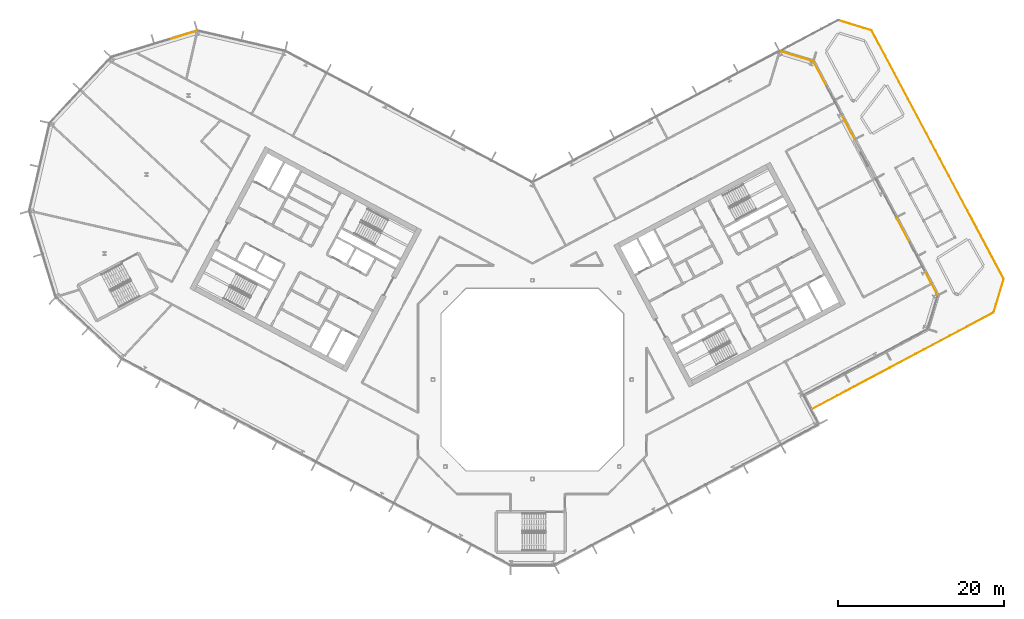
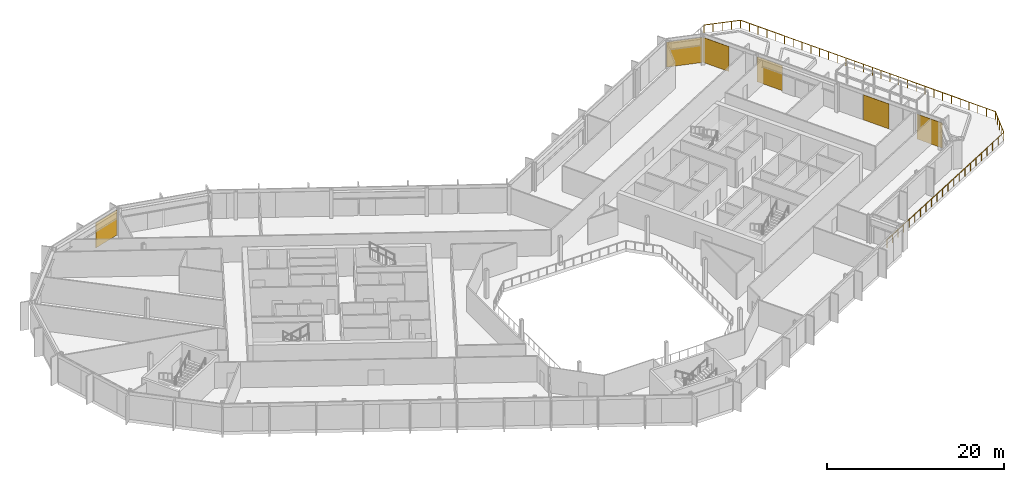
# One storey, part 30 of 31: 6 coverings, 1 railing, 3 elements without a shape of their own.
"""IFC4 building model written with IfcOpenShell, lengths in metres."""

from ifc_helpers import new_model, si_unit, direction, frame, origin, origin_2d, place, context, subcontext, project, spatial, polyline, rectangle, outline, extrude, material, layer, layer_set, type_object, element, aggregate, save


model = new_model("IFC4")

# Units and contexts
model_context = context("Model", 3, precision=1e-05, world=origin(), true_north=direction((0.0, 1.0)))
body_context = subcontext(model_context, "Body", "Model", "MODEL_VIEW")
ifc_project = project(units=[si_unit("LENGTHUNIT", "METRE"), si_unit("AREAUNIT", "SQUARE_METRE"), si_unit("VOLUMEUNIT", "CUBIC_METRE"), si_unit("PLANEANGLEUNIT", "RADIAN"), si_unit("MASSUNIT", "GRAM", prefix="KILO")], contexts=[model_context])

# Site, building, storey
site_placement = place(None, origin())
site = spatial("IfcSite", under=ifc_project, at=site_placement, CompositionType="ELEMENT")
building_placement = place(site_placement, origin())
building = spatial("IfcBuilding", under=site, at=building_placement, Name="Cormorant Relay Tower", CompositionType="ELEMENT")
storey_placement = place(building_placement, frame((0.0, 0.0, 189.60009765625)))
storey = spatial("IfcBuildingStorey", under=building, at=storey_placement, Name="L40", CompositionType="ELEMENT", Elevation=189.60009765625)

# Curtain wall, coverings
ifc_material_1 = material(Name="Aluminium 6063-T6 anodised bronze", Category="aluminium")
ifc_layer_1 = layer(ifc_material_1, 0.199951171875)
ifc_layer_set_1 = layer_set([ifc_layer_1], Name="CW1 unitised bronze curtain wall with vertical fins")
curtain_wall_type = type_object("IfcCurtainWallType", Name="CW1 unitised bronze curtain wall with vertical fins", PredefinedType="NOTDEFINED", material=ifc_layer_set_1)
curtain_wall_1_placement = place(storey_placement, origin())
curtain_wall_1 = element("IfcCurtainWall", 1, at=curtain_wall_1_placement, inside=storey, type_object=curtain_wall_type, Name="CW1 curtain wall 6", PredefinedType="NOTDEFINED")
ifc_material_2 = material(Name="Pale bronze anodised aluminium insulated panel", Category="aluminium")
ifc_layer_2 = layer(ifc_material_2, 0.0400390625)
ifc_layer_set_2 = layer_set([ifc_layer_2], Name="CW1 pale bronze insulated panel 40")
covering_type = type_object("IfcCoveringType", Name="CW1 pale bronze insulated panel 40", PredefinedType="CLADDING", material=ifc_layer_set_2)
covering_1_placement = place(storey_placement, frame((48.142333984375, 11.74267578125, 0.0), z_axis=(0.0, 0.0, 1.0), x_axis=(-0.469471562786, 0.882947592859, 0.0)))
covering_1 = element("IfcCovering", 2, at=covering_1_placement, type_object=covering_type, Name="CW1 panel S00", PredefinedType="CLADDING", context=body_context, shape_type="SweptSolid", body=[
    extrude(rectangle(XDim=3.38330078125, YDim=0.0400390625, at=origin_2d()), origin(), (0.0, 0.0, 1.0), 3.449951171875),
])
covering_2_placement = place(storey_placement, frame((44.79345703125, 18.041015625, 0.0), z_axis=(0.0, 0.0, 1.0), x_axis=(-0.469471562786, 0.882947592859, 0.0)))
covering_2 = element("IfcCovering", 3, at=covering_2_placement, type_object=covering_type, Name="CW1 panel S03", PredefinedType="CLADDING", context=body_context, shape_type="SweptSolid", body=[
    extrude(rectangle(XDim=3.38330078125, YDim=0.0400390625, at=origin_2d()), origin(), (0.0, 0.0, 1.0), 3.449951171875),
])
covering_3_placement = place(storey_placement, frame((38.126953125, 30.578857421875, 0.0), z_axis=(0.0, 0.0, 1.0), x_axis=(-0.469471562786, 0.882947592859, 0.0)))
covering_3 = element("IfcCovering", 4, at=covering_3_placement, type_object=covering_type, Name="CW1 panel S06", PredefinedType="CLADDING", context=body_context, shape_type="SweptSolid", body=[
    extrude(rectangle(XDim=3.38330078125, YDim=0.0400390625, at=origin_2d()), origin(), (0.0, 0.0, 1.0), 3.449951171875),
])
covering_4_placement = place(storey_placement, frame((34.760498046875, 36.910400390625, 0.0), z_axis=(0.0, 0.0, 1.0), x_axis=(-0.469471562786, 0.882947592859, 0.0)))
covering_4 = element("IfcCovering", 5, at=covering_4_placement, type_object=covering_type, Name="CW1 panel S09", PredefinedType="CLADDING", context=body_context, shape_type="SweptSolid", body=[
    extrude(rectangle(XDim=3.458251953125, YDim=0.0400390625, at=origin_2d()), origin(), (0.0, 0.0, 1.0), 3.449951171875),
])
aggregate(curtain_wall_1, [covering_1, covering_2, covering_3, covering_4])

# Curtain wall, covering
curtain_wall_2_placement = place(storey_placement, origin())
curtain_wall_2 = element("IfcCurtainWall", 6, at=curtain_wall_2_placement, inside=storey, type_object=curtain_wall_type, Name="CW1 curtain wall 7", PredefinedType="NOTDEFINED")
covering_5_placement = place(storey_placement, frame((31.872314453125, 39.077880859375, 0.0), z_axis=(0.0, 0.0, 1.0), x_axis=(-0.956304755963, 0.292371704723, 0.0)))
covering_5 = element("IfcCovering", 7, at=covering_5_placement, type_object=covering_type, Name="CW1 panel S00", PredefinedType="CLADDING", context=body_context, shape_type="SweptSolid", body=[
    extrude(rectangle(XDim=4.16748046875, YDim=0.0400390625, at=origin_2d()), origin(), (0.0, 0.0, 1.0), 3.449951171875),
])
aggregate(curtain_wall_2, [covering_5])

curtain_wall_3_placement = place(storey_placement, origin())
curtain_wall_3 = element("IfcCurtainWall", 8, at=curtain_wall_3_placement, inside=storey, type_object=curtain_wall_type, Name="CW1 curtain wall 11", PredefinedType="NOTDEFINED")
covering_6_placement = place(storey_placement, frame((-42.209716796875, 41.60107421875, 0.0), z_axis=(0.0, 0.0, 1.0), x_axis=(-0.956304755963, -0.292371704723, 0.0)))
covering_6 = element("IfcCovering", 9, at=covering_6_placement, type_object=covering_type, Name="CW1 panel S00", PredefinedType="CLADDING", context=body_context, shape_type="SweptSolid", body=[
    extrude(rectangle(XDim=3.485107421875, YDim=0.0400390625, at=origin_2d()), origin(), (0.0, 0.0, 1.0), 3.449951171875),
])
aggregate(curtain_wall_3, [covering_6])

# Railing
ifc_material_3 = material(Name="Stainless steel guard with laminated glass infill", Category="steel")
railing_type = type_object("IfcRailingType", Name="Slab edge guard 1100", PredefinedType="GUARDRAIL", material=ifc_material_3)
railing_placement = place(storey_placement, frame((36.937255859375, 43.423828125, 0.0)))
element("IfcRailing", 10, at=railing_placement, inside=storey, type_object=railing_type, Name="Terrace guard L40", PredefinedType="GUARDRAIL", context=body_context, shape_type="SweptSolid", body=[
    extrude(outline(polyline([(0.022216796875, 0.00927734375), (0.00927734375, 0.022216796875), (-0.00927734375, 0.022216796875), (-0.022216796875, 0.00927734375), (-0.022216796875, -0.00927734375), (-0.00927734375, -0.022216796875), (0.00927734375, -0.022216796875), (0.022216796875, -0.00927734375), (0.022216796875, 0.00927734375)])), frame((0.0, 0.0, 1.076171875), z_axis=(0.956319849341, -0.292322331949, 0.0), x_axis=(0.292322331949, 0.956319849341, 0.0)), (0.0, 0.0, 1.0), 4.24267578125),
    extrude(outline(polyline([(0.022216796875, 0.00927734375), (0.00927734375, 0.022216796875), (-0.00927734375, 0.022216796875), (-0.022216796875, 0.00927734375), (-0.022216796875, -0.00927734375), (-0.00927734375, -0.022216796875), (0.00927734375, -0.022216796875), (0.022216796875, -0.00927734375), (0.022216796875, 0.00927734375)])), frame((4.057373046875, -1.240234375, 1.076171875), z_axis=(0.469465301168, -0.882950922191, 0.0), x_axis=(0.882950922191, 0.469465301168, 0.0)), (0.0, 0.0, 1.0), 34.000244140625),
    extrude(outline(polyline([(0.022216796875, 0.00927734375), (0.00927734375, 0.022216796875), (-0.00927734375, 0.022216796875), (-0.022216796875, 0.00927734375), (-0.022216796875, -0.00927734375), (-0.00927734375, -0.022216796875), (0.00927734375, -0.022216796875), (0.022216796875, -0.00927734375), (0.022216796875, 0.00927734375)])), frame((20.019287109375, -31.2607421875, 1.076171875), z_axis=(-0.292338419362, -0.956314931686, 0.0), x_axis=(0.956314931686, -0.292338419362, 0.0)), (0.0, 0.0, 1.0), 4.242431640625),
    extrude(outline(polyline([(0.022216796875, 0.00927734375), (0.00927734375, 0.022216796875), (-0.00927734375, 0.022216796875), (-0.022216796875, 0.00927734375), (-0.022216796875, -0.00927734375), (-0.00927734375, -0.022216796875), (0.00927734375, -0.022216796875), (0.022216796875, -0.00927734375), (0.022216796875, 0.00927734375)])), frame((18.779052734375, -35.31787109375, 1.076171875), z_axis=(-0.882948683368, -0.469469511832, 0.0), x_axis=(0.469469511832, -0.882948683368, 0.0)), (0.0, 0.0, 1.0), 24.9501953125),
    extrude(outline(polyline([(0.019287109375, 0.008056640625), (0.008056640625, 0.019287109375), (-0.008056640625, 0.019287109375), (-0.019287109375, 0.008056640625), (-0.019287109375, -0.008056640625), (-0.008056640625, -0.019287109375), (0.008056640625, -0.019287109375), (0.019287109375, -0.008056640625), (0.019287109375, 0.008056640625)])), origin(), (0.0, 0.0, 1.0), 1.052001953125),
    extrude(outline(polyline([(0.019287109375, 0.008056640625), (0.008056640625, 0.019287109375), (-0.008056640625, 0.019287109375), (-0.019287109375, 0.008056640625), (-0.019287109375, -0.008056640625), (-0.008056640625, -0.019287109375), (0.008056640625, -0.019287109375), (0.019287109375, -0.008056640625), (0.019287109375, 0.008056640625)])), frame((1.014404296875, -0.31005859375, 0.0)), (0.0, 0.0, 1.0), 1.052001953125),
    extrude(outline(polyline([(0.019287109375, 0.008056640625), (0.008056640625, 0.019287109375), (-0.008056640625, 0.019287109375), (-0.019287109375, 0.008056640625), (-0.019287109375, -0.008056640625), (-0.008056640625, -0.019287109375), (0.008056640625, -0.019287109375), (0.019287109375, -0.008056640625), (0.019287109375, 0.008056640625)])), frame((2.02880859375, -0.6201171875, 0.0)), (0.0, 0.0, 1.0), 1.052001953125),
    extrude(outline(polyline([(0.019287109375, 0.008056640625), (0.008056640625, 0.019287109375), (-0.008056640625, 0.019287109375), (-0.019287109375, 0.008056640625), (-0.019287109375, -0.008056640625), (-0.008056640625, -0.019287109375), (0.008056640625, -0.019287109375), (0.019287109375, -0.008056640625), (0.019287109375, 0.008056640625)])), frame((3.04296875, -0.93017578125, 0.0)), (0.0, 0.0, 1.0), 1.052001953125),
    extrude(outline(polyline([(0.019287109375, 0.008056640625), (0.008056640625, 0.019287109375), (-0.008056640625, 0.019287109375), (-0.019287109375, 0.008056640625), (-0.019287109375, -0.008056640625), (-0.008056640625, -0.019287109375), (0.008056640625, -0.019287109375), (0.019287109375, -0.008056640625), (0.019287109375, 0.008056640625)])), frame((4.057373046875, -1.240234375, 0.0)), (0.0, 0.0, 1.0), 1.052001953125),
    extrude(outline(polyline([(0.019287109375, 0.008056640625), (0.008056640625, 0.019287109375), (-0.008056640625, 0.019287109375), (-0.019287109375, 0.008056640625), (-0.019287109375, -0.008056640625), (-0.008056640625, -0.019287109375), (0.008056640625, -0.019287109375), (0.019287109375, -0.008056640625), (0.019287109375, 0.008056640625)])), frame((4.607666015625, -2.275390625, 0.0)), (0.0, 0.0, 1.0), 1.052001953125),
    extrude(outline(polyline([(0.019287109375, 0.008056640625), (0.008056640625, 0.019287109375), (-0.008056640625, 0.019287109375), (-0.019287109375, 0.008056640625), (-0.019287109375, -0.008056640625), (-0.008056640625, -0.019287109375), (0.008056640625, -0.019287109375), (0.019287109375, -0.008056640625), (0.019287109375, 0.008056640625)])), frame((5.158203125, -3.310546875, 0.0)), (0.0, 0.0, 1.0), 1.052001953125),
    extrude(outline(polyline([(0.019287109375, 0.008056640625), (0.008056640625, 0.019287109375), (-0.008056640625, 0.019287109375), (-0.019287109375, 0.008056640625), (-0.019287109375, -0.008056640625), (-0.008056640625, -0.019287109375), (0.008056640625, -0.019287109375), (0.019287109375, -0.008056640625), (0.019287109375, 0.008056640625)])), frame((5.70849609375, -4.345703125, 0.0)), (0.0, 0.0, 1.0), 1.052001953125),
    extrude(outline(polyline([(0.019287109375, 0.008056640625), (0.008056640625, 0.019287109375), (-0.008056640625, 0.019287109375), (-0.019287109375, 0.008056640625), (-0.019287109375, -0.008056640625), (-0.008056640625, -0.019287109375), (0.008056640625, -0.019287109375), (0.019287109375, -0.008056640625), (0.019287109375, 0.008056640625)])), frame((6.259033203125, -5.381103515625, 0.0)), (0.0, 0.0, 1.0), 1.052001953125),
    extrude(outline(polyline([(0.019287109375, 0.008056640625), (0.008056640625, 0.019287109375), (-0.008056640625, 0.019287109375), (-0.019287109375, 0.008056640625), (-0.019287109375, -0.008056640625), (-0.008056640625, -0.019287109375), (0.008056640625, -0.019287109375), (0.019287109375, -0.008056640625), (0.019287109375, 0.008056640625)])), frame((6.809326171875, -6.416259765625, 0.0)), (0.0, 0.0, 1.0), 1.052001953125),
    extrude(outline(polyline([(0.019287109375, 0.008056640625), (0.008056640625, 0.019287109375), (-0.008056640625, 0.019287109375), (-0.019287109375, 0.008056640625), (-0.019287109375, -0.008056640625), (-0.008056640625, -0.019287109375), (0.008056640625, -0.019287109375), (0.019287109375, -0.008056640625), (0.019287109375, 0.008056640625)])), frame((7.35986328125, -7.451416015625, 0.0)), (0.0, 0.0, 1.0), 1.052001953125),
    extrude(outline(polyline([(0.019287109375, 0.008056640625), (0.008056640625, 0.019287109375), (-0.008056640625, 0.019287109375), (-0.019287109375, 0.008056640625), (-0.019287109375, -0.008056640625), (-0.008056640625, -0.019287109375), (0.008056640625, -0.019287109375), (0.019287109375, -0.008056640625), (0.019287109375, 0.008056640625)])), frame((7.91015625, -8.486572265625, 0.0)), (0.0, 0.0, 1.0), 1.052001953125),
    extrude(outline(polyline([(0.019287109375, 0.008056640625), (0.008056640625, 0.019287109375), (-0.008056640625, 0.019287109375), (-0.019287109375, 0.008056640625), (-0.019287109375, -0.008056640625), (-0.008056640625, -0.019287109375), (0.008056640625, -0.019287109375), (0.019287109375, -0.008056640625), (0.019287109375, 0.008056640625)])), frame((8.460693359375, -9.521728515625, 0.0)), (0.0, 0.0, 1.0), 1.052001953125),
    extrude(outline(polyline([(0.019287109375, 0.008056640625), (0.008056640625, 0.019287109375), (-0.008056640625, 0.019287109375), (-0.019287109375, 0.008056640625), (-0.019287109375, -0.008056640625), (-0.008056640625, -0.019287109375), (0.008056640625, -0.019287109375), (0.019287109375, -0.008056640625), (0.019287109375, 0.008056640625)])), frame((9.010986328125, -10.556884765625, 0.0)), (0.0, 0.0, 1.0), 1.052001953125),
    extrude(outline(polyline([(0.019287109375, 0.008056640625), (0.008056640625, 0.019287109375), (-0.008056640625, 0.019287109375), (-0.019287109375, 0.008056640625), (-0.019287109375, -0.008056640625), (-0.008056640625, -0.019287109375), (0.008056640625, -0.019287109375), (0.019287109375, -0.008056640625), (0.019287109375, 0.008056640625)])), frame((9.5615234375, -11.592041015625, 0.0)), (0.0, 0.0, 1.0), 1.052001953125),
    extrude(outline(polyline([(0.019287109375, 0.008056640625), (0.008056640625, 0.019287109375), (-0.008056640625, 0.019287109375), (-0.019287109375, 0.008056640625), (-0.019287109375, -0.008056640625), (-0.008056640625, -0.019287109375), (0.008056640625, -0.019287109375), (0.019287109375, -0.008056640625), (0.019287109375, 0.008056640625)])), frame((10.11181640625, -12.62744140625, 0.0)), (0.0, 0.0, 1.0), 1.052001953125),
    extrude(outline(polyline([(0.019287109375, 0.008056640625), (0.008056640625, 0.019287109375), (-0.008056640625, 0.019287109375), (-0.019287109375, 0.008056640625), (-0.019287109375, -0.008056640625), (-0.008056640625, -0.019287109375), (0.008056640625, -0.019287109375), (0.019287109375, -0.008056640625), (0.019287109375, 0.008056640625)])), frame((10.662353515625, -13.66259765625, 0.0)), (0.0, 0.0, 1.0), 1.052001953125),
    extrude(outline(polyline([(0.019287109375, 0.008056640625), (0.008056640625, 0.019287109375), (-0.008056640625, 0.019287109375), (-0.019287109375, 0.008056640625), (-0.019287109375, -0.008056640625), (-0.008056640625, -0.019287109375), (0.008056640625, -0.019287109375), (0.019287109375, -0.008056640625), (0.019287109375, 0.008056640625)])), frame((11.212646484375, -14.69775390625, 0.0)), (0.0, 0.0, 1.0), 1.052001953125),
    extrude(outline(polyline([(0.019287109375, 0.008056640625), (0.008056640625, 0.019287109375), (-0.008056640625, 0.019287109375), (-0.019287109375, 0.008056640625), (-0.019287109375, -0.008056640625), (-0.008056640625, -0.019287109375), (0.008056640625, -0.019287109375), (0.019287109375, -0.008056640625), (0.019287109375, 0.008056640625)])), frame((11.76318359375, -15.73291015625, 0.0)), (0.0, 0.0, 1.0), 1.052001953125),
    extrude(outline(polyline([(0.019287109375, 0.008056640625), (0.008056640625, 0.019287109375), (-0.008056640625, 0.019287109375), (-0.019287109375, 0.008056640625), (-0.019287109375, -0.008056640625), (-0.008056640625, -0.019287109375), (0.008056640625, -0.019287109375), (0.019287109375, -0.008056640625), (0.019287109375, 0.008056640625)])), frame((12.3134765625, -16.76806640625, 0.0)), (0.0, 0.0, 1.0), 1.052001953125),
    extrude(outline(polyline([(0.019287109375, 0.008056640625), (0.008056640625, 0.019287109375), (-0.008056640625, 0.019287109375), (-0.019287109375, 0.008056640625), (-0.019287109375, -0.008056640625), (-0.008056640625, -0.019287109375), (0.008056640625, -0.019287109375), (0.019287109375, -0.008056640625), (0.019287109375, 0.008056640625)])), frame((12.864013671875, -17.80322265625, 0.0)), (0.0, 0.0, 1.0), 1.052001953125),
    extrude(outline(polyline([(0.019287109375, 0.008056640625), (0.008056640625, 0.019287109375), (-0.008056640625, 0.019287109375), (-0.019287109375, 0.008056640625), (-0.019287109375, -0.008056640625), (-0.008056640625, -0.019287109375), (0.008056640625, -0.019287109375), (0.019287109375, -0.008056640625), (0.019287109375, 0.008056640625)])), frame((13.414306640625, -18.83837890625, 0.0)), (0.0, 0.0, 1.0), 1.052001953125),
    extrude(outline(polyline([(0.019287109375, 0.008056640625), (0.008056640625, 0.019287109375), (-0.008056640625, 0.019287109375), (-0.019287109375, 0.008056640625), (-0.019287109375, -0.008056640625), (-0.008056640625, -0.019287109375), (0.008056640625, -0.019287109375), (0.019287109375, -0.008056640625), (0.019287109375, 0.008056640625)])), frame((13.96484375, -19.87353515625, 0.0)), (0.0, 0.0, 1.0), 1.052001953125),
    extrude(outline(polyline([(0.019287109375, 0.008056640625), (0.008056640625, 0.019287109375), (-0.008056640625, 0.019287109375), (-0.019287109375, 0.008056640625), (-0.019287109375, -0.008056640625), (-0.008056640625, -0.019287109375), (0.008056640625, -0.019287109375), (0.019287109375, -0.008056640625), (0.019287109375, 0.008056640625)])), frame((14.51513671875, -20.908935546875, 0.0)), (0.0, 0.0, 1.0), 1.052001953125),
    extrude(outline(polyline([(0.019287109375, 0.008056640625), (0.008056640625, 0.019287109375), (-0.008056640625, 0.019287109375), (-0.019287109375, 0.008056640625), (-0.019287109375, -0.008056640625), (-0.008056640625, -0.019287109375), (0.008056640625, -0.019287109375), (0.019287109375, -0.008056640625), (0.019287109375, 0.008056640625)])), frame((15.065673828125, -21.944091796875, 0.0)), (0.0, 0.0, 1.0), 1.052001953125),
    extrude(outline(polyline([(0.019287109375, 0.008056640625), (0.008056640625, 0.019287109375), (-0.008056640625, 0.019287109375), (-0.019287109375, 0.008056640625), (-0.019287109375, -0.008056640625), (-0.008056640625, -0.019287109375), (0.008056640625, -0.019287109375), (0.019287109375, -0.008056640625), (0.019287109375, 0.008056640625)])), frame((15.615966796875, -22.979248046875, 0.0)), (0.0, 0.0, 1.0), 1.052001953125),
    extrude(outline(polyline([(0.019287109375, 0.008056640625), (0.008056640625, 0.019287109375), (-0.008056640625, 0.019287109375), (-0.019287109375, 0.008056640625), (-0.019287109375, -0.008056640625), (-0.008056640625, -0.019287109375), (0.008056640625, -0.019287109375), (0.019287109375, -0.008056640625), (0.019287109375, 0.008056640625)])), frame((16.16650390625, -24.014404296875, 0.0)), (0.0, 0.0, 1.0), 1.052001953125),
    extrude(outline(polyline([(0.019287109375, 0.008056640625), (0.008056640625, 0.019287109375), (-0.008056640625, 0.019287109375), (-0.019287109375, 0.008056640625), (-0.019287109375, -0.008056640625), (-0.008056640625, -0.019287109375), (0.008056640625, -0.019287109375), (0.019287109375, -0.008056640625), (0.019287109375, 0.008056640625)])), frame((16.716796875, -25.049560546875, 0.0)), (0.0, 0.0, 1.0), 1.052001953125),
    extrude(outline(polyline([(0.019287109375, 0.008056640625), (0.008056640625, 0.019287109375), (-0.008056640625, 0.019287109375), (-0.019287109375, 0.008056640625), (-0.019287109375, -0.008056640625), (-0.008056640625, -0.019287109375), (0.008056640625, -0.019287109375), (0.019287109375, -0.008056640625), (0.019287109375, 0.008056640625)])), frame((17.267333984375, -26.084716796875, 0.0)), (0.0, 0.0, 1.0), 1.052001953125),
    extrude(outline(polyline([(0.019287109375, 0.008056640625), (0.008056640625, 0.019287109375), (-0.008056640625, 0.019287109375), (-0.019287109375, 0.008056640625), (-0.019287109375, -0.008056640625), (-0.008056640625, -0.019287109375), (0.008056640625, -0.019287109375), (0.019287109375, -0.008056640625), (0.019287109375, 0.008056640625)])), frame((17.817626953125, -27.119873046875, 0.0)), (0.0, 0.0, 1.0), 1.052001953125),
    extrude(outline(polyline([(0.019287109375, 0.008056640625), (0.008056640625, 0.019287109375), (-0.008056640625, 0.019287109375), (-0.019287109375, 0.008056640625), (-0.019287109375, -0.008056640625), (-0.008056640625, -0.019287109375), (0.008056640625, -0.019287109375), (0.019287109375, -0.008056640625), (0.019287109375, 0.008056640625)])), frame((18.3681640625, -28.1552734375, 0.0)), (0.0, 0.0, 1.0), 1.052001953125),
    extrude(outline(polyline([(0.019287109375, 0.008056640625), (0.008056640625, 0.019287109375), (-0.008056640625, 0.019287109375), (-0.019287109375, 0.008056640625), (-0.019287109375, -0.008056640625), (-0.008056640625, -0.019287109375), (0.008056640625, -0.019287109375), (0.019287109375, -0.008056640625), (0.019287109375, 0.008056640625)])), frame((18.91845703125, -29.1904296875, 0.0)), (0.0, 0.0, 1.0), 1.052001953125),
    extrude(outline(polyline([(0.019287109375, 0.008056640625), (0.008056640625, 0.019287109375), (-0.008056640625, 0.019287109375), (-0.019287109375, 0.008056640625), (-0.019287109375, -0.008056640625), (-0.008056640625, -0.019287109375), (0.008056640625, -0.019287109375), (0.019287109375, -0.008056640625), (0.019287109375, 0.008056640625)])), frame((19.468994140625, -30.2255859375, 0.0)), (0.0, 0.0, 1.0), 1.052001953125),
    extrude(outline(polyline([(0.019287109375, 0.008056640625), (0.008056640625, 0.019287109375), (-0.008056640625, 0.019287109375), (-0.019287109375, 0.008056640625), (-0.019287109375, -0.008056640625), (-0.008056640625, -0.019287109375), (0.008056640625, -0.019287109375), (0.019287109375, -0.008056640625), (0.019287109375, 0.008056640625)])), frame((20.019287109375, -31.2607421875, 0.0)), (0.0, 0.0, 1.0), 1.052001953125),
    extrude(outline(polyline([(0.019287109375, 0.008056640625), (0.008056640625, 0.019287109375), (-0.008056640625, 0.019287109375), (-0.019287109375, 0.008056640625), (-0.019287109375, -0.008056640625), (-0.008056640625, -0.019287109375), (0.008056640625, -0.019287109375), (0.019287109375, -0.008056640625), (0.019287109375, 0.008056640625)])), frame((19.709228515625, -32.27490234375, 0.0)), (0.0, 0.0, 1.0), 1.052001953125),
    extrude(outline(polyline([(0.019287109375, 0.008056640625), (0.008056640625, 0.019287109375), (-0.008056640625, 0.019287109375), (-0.019287109375, 0.008056640625), (-0.019287109375, -0.008056640625), (-0.008056640625, -0.019287109375), (0.008056640625, -0.019287109375), (0.019287109375, -0.008056640625), (0.019287109375, 0.008056640625)])), frame((19.399169921875, -33.289306640625, 0.0)), (0.0, 0.0, 1.0), 1.052001953125),
    extrude(outline(polyline([(0.019287109375, 0.008056640625), (0.008056640625, 0.019287109375), (-0.008056640625, 0.019287109375), (-0.019287109375, 0.008056640625), (-0.019287109375, -0.008056640625), (-0.008056640625, -0.019287109375), (0.008056640625, -0.019287109375), (0.019287109375, -0.008056640625), (0.019287109375, 0.008056640625)])), frame((19.089111328125, -34.3037109375, 0.0)), (0.0, 0.0, 1.0), 1.052001953125),
    extrude(outline(polyline([(0.019287109375, 0.008056640625), (0.008056640625, 0.019287109375), (-0.008056640625, 0.019287109375), (-0.019287109375, 0.008056640625), (-0.019287109375, -0.008056640625), (-0.008056640625, -0.019287109375), (0.008056640625, -0.019287109375), (0.019287109375, -0.008056640625), (0.019287109375, 0.008056640625)])), frame((18.779052734375, -35.31787109375, 0.0)), (0.0, 0.0, 1.0), 1.052001953125),
    extrude(outline(polyline([(0.019287109375, 0.008056640625), (0.008056640625, 0.019287109375), (-0.008056640625, 0.019287109375), (-0.019287109375, 0.008056640625), (-0.019287109375, -0.008056640625), (-0.008056640625, -0.019287109375), (0.008056640625, -0.019287109375), (0.019287109375, -0.008056640625), (0.019287109375, 0.008056640625)])), frame((17.72998046875, -35.875732421875, 0.0)), (0.0, 0.0, 1.0), 1.052001953125),
    extrude(outline(polyline([(0.019287109375, 0.008056640625), (0.008056640625, 0.019287109375), (-0.008056640625, 0.019287109375), (-0.019287109375, 0.008056640625), (-0.019287109375, -0.008056640625), (-0.008056640625, -0.019287109375), (0.008056640625, -0.019287109375), (0.019287109375, -0.008056640625), (0.019287109375, 0.008056640625)])), frame((16.680908203125, -36.433349609375, 0.0)), (0.0, 0.0, 1.0), 1.052001953125),
    extrude(outline(polyline([(0.019287109375, 0.008056640625), (0.008056640625, 0.019287109375), (-0.008056640625, 0.019287109375), (-0.019287109375, 0.008056640625), (-0.019287109375, -0.008056640625), (-0.008056640625, -0.019287109375), (0.008056640625, -0.019287109375), (0.019287109375, -0.008056640625), (0.019287109375, 0.008056640625)])), frame((15.6318359375, -36.9912109375, 0.0)), (0.0, 0.0, 1.0), 1.052001953125),
    extrude(outline(polyline([(0.019287109375, 0.008056640625), (0.008056640625, 0.019287109375), (-0.008056640625, 0.019287109375), (-0.019287109375, 0.008056640625), (-0.019287109375, -0.008056640625), (-0.008056640625, -0.019287109375), (0.008056640625, -0.019287109375), (0.019287109375, -0.008056640625), (0.019287109375, 0.008056640625)])), frame((14.5830078125, -37.549072265625, 0.0)), (0.0, 0.0, 1.0), 1.052001953125),
    extrude(outline(polyline([(0.019287109375, 0.008056640625), (0.008056640625, 0.019287109375), (-0.008056640625, 0.019287109375), (-0.019287109375, 0.008056640625), (-0.019287109375, -0.008056640625), (-0.008056640625, -0.019287109375), (0.008056640625, -0.019287109375), (0.019287109375, -0.008056640625), (0.019287109375, 0.008056640625)])), frame((13.533935546875, -38.106689453125, 0.0)), (0.0, 0.0, 1.0), 1.052001953125),
    extrude(outline(polyline([(0.019287109375, 0.008056640625), (0.008056640625, 0.019287109375), (-0.008056640625, 0.019287109375), (-0.019287109375, 0.008056640625), (-0.019287109375, -0.008056640625), (-0.008056640625, -0.019287109375), (0.008056640625, -0.019287109375), (0.019287109375, -0.008056640625), (0.019287109375, 0.008056640625)])), frame((12.48486328125, -38.66455078125, 0.0)), (0.0, 0.0, 1.0), 1.052001953125),
    extrude(outline(polyline([(0.019287109375, 0.008056640625), (0.008056640625, 0.019287109375), (-0.008056640625, 0.019287109375), (-0.019287109375, 0.008056640625), (-0.019287109375, -0.008056640625), (-0.008056640625, -0.019287109375), (0.008056640625, -0.019287109375), (0.019287109375, -0.008056640625), (0.019287109375, 0.008056640625)])), frame((11.435791015625, -39.222412109375, 0.0)), (0.0, 0.0, 1.0), 1.052001953125),
    extrude(outline(polyline([(0.019287109375, 0.008056640625), (0.008056640625, 0.019287109375), (-0.008056640625, 0.019287109375), (-0.019287109375, 0.008056640625), (-0.019287109375, -0.008056640625), (-0.008056640625, -0.019287109375), (0.008056640625, -0.019287109375), (0.019287109375, -0.008056640625), (0.019287109375, 0.008056640625)])), frame((10.38671875, -39.780029296875, 0.0)), (0.0, 0.0, 1.0), 1.052001953125),
    extrude(outline(polyline([(0.019287109375, 0.008056640625), (0.008056640625, 0.019287109375), (-0.008056640625, 0.019287109375), (-0.019287109375, 0.008056640625), (-0.019287109375, -0.008056640625), (-0.008056640625, -0.019287109375), (0.008056640625, -0.019287109375), (0.019287109375, -0.008056640625), (0.019287109375, 0.008056640625)])), frame((9.337646484375, -40.337890625, 0.0)), (0.0, 0.0, 1.0), 1.052001953125),
    extrude(outline(polyline([(0.019287109375, 0.008056640625), (0.008056640625, 0.019287109375), (-0.008056640625, 0.019287109375), (-0.019287109375, 0.008056640625), (-0.019287109375, -0.008056640625), (-0.008056640625, -0.019287109375), (0.008056640625, -0.019287109375), (0.019287109375, -0.008056640625), (0.019287109375, 0.008056640625)])), frame((8.28857421875, -40.895751953125, 0.0)), (0.0, 0.0, 1.0), 1.052001953125),
    extrude(outline(polyline([(0.019287109375, 0.008056640625), (0.008056640625, 0.019287109375), (-0.008056640625, 0.019287109375), (-0.019287109375, 0.008056640625), (-0.019287109375, -0.008056640625), (-0.008056640625, -0.019287109375), (0.008056640625, -0.019287109375), (0.019287109375, -0.008056640625), (0.019287109375, 0.008056640625)])), frame((7.23974609375, -41.453369140625, 0.0)), (0.0, 0.0, 1.0), 1.052001953125),
    extrude(outline(polyline([(0.019287109375, 0.008056640625), (0.008056640625, 0.019287109375), (-0.008056640625, 0.019287109375), (-0.019287109375, 0.008056640625), (-0.019287109375, -0.008056640625), (-0.008056640625, -0.019287109375), (0.008056640625, -0.019287109375), (0.019287109375, -0.008056640625), (0.019287109375, 0.008056640625)])), frame((6.190673828125, -42.01123046875, 0.0)), (0.0, 0.0, 1.0), 1.052001953125),
    extrude(outline(polyline([(0.019287109375, 0.008056640625), (0.008056640625, 0.019287109375), (-0.008056640625, 0.019287109375), (-0.019287109375, 0.008056640625), (-0.019287109375, -0.008056640625), (-0.008056640625, -0.019287109375), (0.008056640625, -0.019287109375), (0.019287109375, -0.008056640625), (0.019287109375, 0.008056640625)])), frame((5.1416015625, -42.569091796875, 0.0)), (0.0, 0.0, 1.0), 1.052001953125),
    extrude(outline(polyline([(0.019287109375, 0.008056640625), (0.008056640625, 0.019287109375), (-0.008056640625, 0.019287109375), (-0.019287109375, 0.008056640625), (-0.019287109375, -0.008056640625), (-0.008056640625, -0.019287109375), (0.008056640625, -0.019287109375), (0.019287109375, -0.008056640625), (0.019287109375, 0.008056640625)])), frame((4.092529296875, -43.126708984375, 0.0)), (0.0, 0.0, 1.0), 1.052001953125),
    extrude(outline(polyline([(0.019287109375, 0.008056640625), (0.008056640625, 0.019287109375), (-0.008056640625, 0.019287109375), (-0.019287109375, 0.008056640625), (-0.019287109375, -0.008056640625), (-0.008056640625, -0.019287109375), (0.008056640625, -0.019287109375), (0.019287109375, -0.008056640625), (0.019287109375, 0.008056640625)])), frame((3.04345703125, -43.6845703125, 0.0)), (0.0, 0.0, 1.0), 1.052001953125),
    extrude(outline(polyline([(0.019287109375, 0.008056640625), (0.008056640625, 0.019287109375), (-0.008056640625, 0.019287109375), (-0.019287109375, 0.008056640625), (-0.019287109375, -0.008056640625), (-0.008056640625, -0.019287109375), (0.008056640625, -0.019287109375), (0.019287109375, -0.008056640625), (0.019287109375, 0.008056640625)])), frame((1.994384765625, -44.242431640625, 0.0)), (0.0, 0.0, 1.0), 1.052001953125),
    extrude(outline(polyline([(0.019287109375, 0.008056640625), (0.008056640625, 0.019287109375), (-0.008056640625, 0.019287109375), (-0.019287109375, 0.008056640625), (-0.019287109375, -0.008056640625), (-0.008056640625, -0.019287109375), (0.008056640625, -0.019287109375), (0.019287109375, -0.008056640625), (0.019287109375, 0.008056640625)])), frame((0.9453125, -44.800048828125, 0.0)), (0.0, 0.0, 1.0), 1.052001953125),
    extrude(outline(polyline([(0.019287109375, 0.008056640625), (0.008056640625, 0.019287109375), (-0.008056640625, 0.019287109375), (-0.019287109375, 0.008056640625), (-0.019287109375, -0.008056640625), (-0.008056640625, -0.019287109375), (0.008056640625, -0.019287109375), (0.019287109375, -0.008056640625), (0.019287109375, 0.008056640625)])), frame((-0.103515625, -45.35791015625, 0.0)), (0.0, 0.0, 1.0), 1.052001953125),
    extrude(outline(polyline([(0.019287109375, 0.008056640625), (0.008056640625, 0.019287109375), (-0.008056640625, 0.019287109375), (-0.019287109375, 0.008056640625), (-0.019287109375, -0.008056640625), (-0.008056640625, -0.019287109375), (0.008056640625, -0.019287109375), (0.019287109375, -0.008056640625), (0.019287109375, 0.008056640625)])), frame((-1.152587890625, -45.915771484375, 0.0)), (0.0, 0.0, 1.0), 1.052001953125),
    extrude(outline(polyline([(0.019287109375, 0.008056640625), (0.008056640625, 0.019287109375), (-0.008056640625, 0.019287109375), (-0.019287109375, 0.008056640625), (-0.019287109375, -0.008056640625), (-0.008056640625, -0.019287109375), (0.008056640625, -0.019287109375), (0.019287109375, -0.008056640625), (0.019287109375, 0.008056640625)])), frame((-2.20166015625, -46.473388671875, 0.0)), (0.0, 0.0, 1.0), 1.052001953125),
    extrude(outline(polyline([(0.019287109375, 0.008056640625), (0.008056640625, 0.019287109375), (-0.008056640625, 0.019287109375), (-0.019287109375, 0.008056640625), (-0.019287109375, -0.008056640625), (-0.008056640625, -0.019287109375), (0.008056640625, -0.019287109375), (0.019287109375, -0.008056640625), (0.019287109375, 0.008056640625)])), frame((-3.250732421875, -47.03125, 0.0)), (0.0, 0.0, 1.0), 1.052001953125),
])

save(model, "model.ifc")
